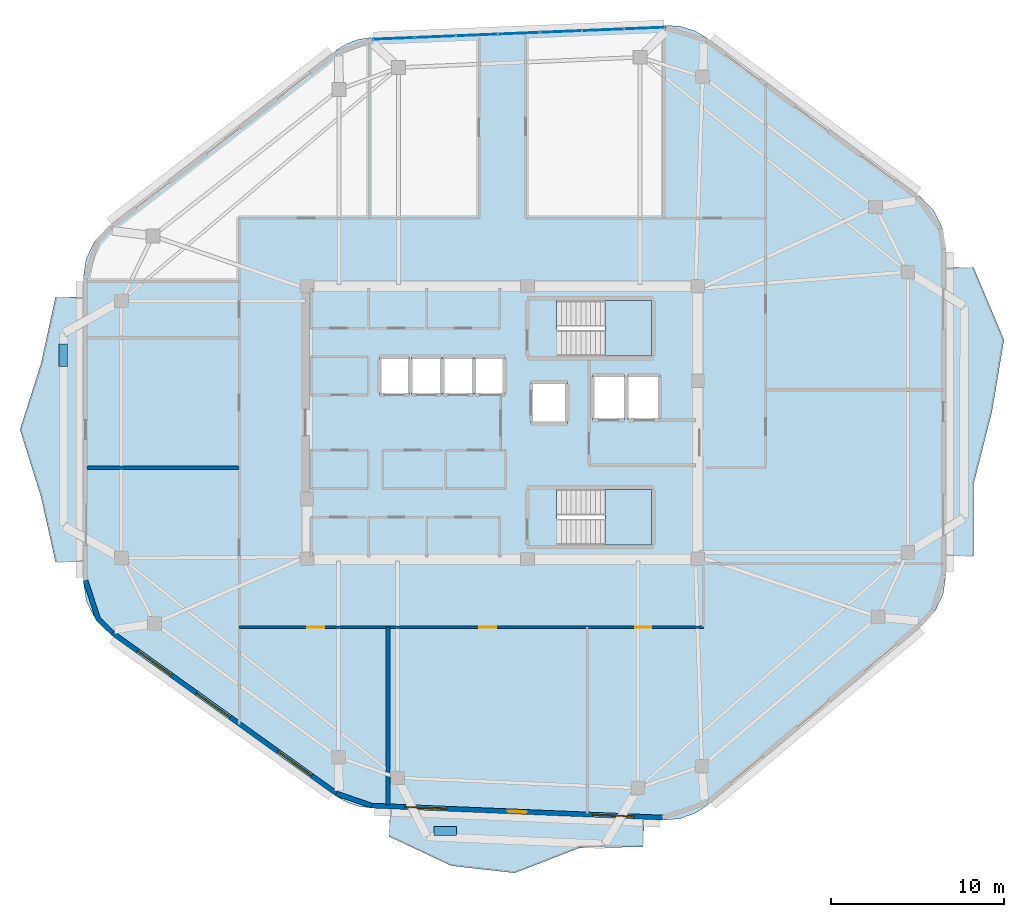
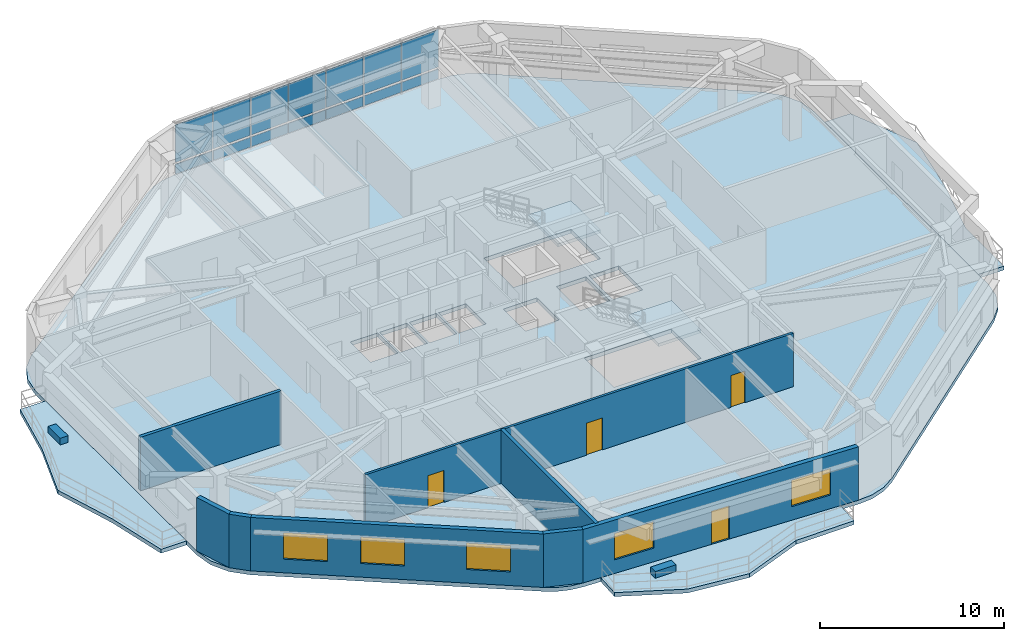
# One storey, part 5 of 12: 16 plates, 8 walls, 6 slabs, 5 windows, 4 doors, 9 openings, 3 elements without a shape of their own.
"""IFC4 building model written with IfcOpenShell, lengths in metres."""

from ifc_helpers import new_model, si_unit, direction, frame, frame_2d, origin, origin_2d, place, context, subcontext, project, spatial, polyline, rectangle, outline, extrude, material, layer, layer_set, type_object, element, fill, aggregate, save


model = new_model("IFC4")

# Units and contexts
model_context = context("Model", 3, precision=1e-05, world=origin(), true_north=direction((0.0, 1.0)))
body_context = subcontext(model_context, "Body", "Model", "MODEL_VIEW")
ifc_project = project(units=[si_unit("LENGTHUNIT", "METRE"), si_unit("AREAUNIT", "SQUARE_METRE"), si_unit("VOLUMEUNIT", "CUBIC_METRE"), si_unit("PLANEANGLEUNIT", "RADIAN"), si_unit("MASSUNIT", "GRAM", prefix="KILO")], contexts=[model_context])

# Site, building, storey
site_placement = place(None, origin())
site = spatial("IfcSite", under=ifc_project, at=site_placement, CompositionType="ELEMENT")
building_placement = place(site_placement, origin())
building = spatial("IfcBuilding", under=site, at=building_placement, Name="Zulverin Broadcast Headquarters", CompositionType="ELEMENT")
storey_placement = place(building_placement, frame((0.0, 0.0, 285.800048828125)))
storey = spatial("IfcBuildingStorey", under=building, at=storey_placement, Name="L73", CompositionType="ELEMENT", Elevation=285.800048828125)

# Curtain wall, plates
ifc_material_1 = material(Name="High-zone solar-control unitised curtain wall", Category="aluminium")
curtain_wall_type = type_object("IfcCurtainWallType", Name="CW-TWR-UPP", PredefinedType="USERDEFINED", material=ifc_material_1)
curtain_wall_placement = place(storey_placement, origin())
curtain_wall = element("IfcCurtainWall", 1, at=curtain_wall_placement, inside=storey, type_object=curtain_wall_type, Name="L73 Unitised Curtain Wall CW-L73-E5", ObjectType="UNITISED CURTAIN WALL", PredefinedType="USERDEFINED")
ifc_material_2 = material(Name="Low-E double-glazed pale-silver vision glass", Category="glass")
ifc_layer_1 = layer(ifc_material_2, 0.035888671875, Name="Low-E double-glazed pale-silver vision glass", Category="glass")
ifc_layer_set_1 = layer_set([ifc_layer_1], Name="Low-E double-glazed pale-silver vision glass")
plate_type_1 = type_object("IfcPlateType", Name="CW-PNL-GLZ", PredefinedType="CURTAIN_PANEL", material=ifc_layer_set_1)
plate_1_placement = place(storey_placement, frame((45.205078125, 47.975341796875, 0.91455078125), z_axis=(0.0, 0.0, 1.0), x_axis=(-0.999156343069, -0.041068261531, 0.0)))
plate_1 = element("IfcPlate", 2, at=plate_1_placement, type_object=plate_type_1, Name="CW-L73-E5 Vision Panel 00", PredefinedType="CURTAIN_PANEL", context=body_context, shape_type="SweptSolid", body=[
    extrude(rectangle(XDim=2.377685546875, YDim=0.035888671875, at=origin_2d()), origin(), (0.0, 0.0, 1.0), 2.4853515625),
])
plate_2_placement = place(storey_placement, frame((42.78955078125, 47.8759765625, 0.91455078125), z_axis=(0.0, 0.0, 1.0), x_axis=(-0.999156343069, -0.041068261531, 0.0)))
plate_2 = element("IfcPlate", 3, at=plate_2_placement, type_object=plate_type_1, Name="CW-L73-E5 Vision Panel 01", PredefinedType="CURTAIN_PANEL", context=body_context, shape_type="SweptSolid", body=[
    extrude(rectangle(XDim=2.377685546875, YDim=0.035888671875, at=origin_2d()), origin(), (0.0, 0.0, 1.0), 2.4853515625),
])
plate_3_placement = place(storey_placement, frame((40.3740234375, 47.776611328125, 0.91455078125), z_axis=(0.0, 0.0, 1.0), x_axis=(-0.999156343069, -0.041068261531, 0.0)))
plate_3 = element("IfcPlate", 4, at=plate_3_placement, type_object=plate_type_1, Name="CW-L73-E5 Vision Panel 02", PredefinedType="CURTAIN_PANEL", context=body_context, shape_type="SweptSolid", body=[
    extrude(rectangle(XDim=2.377685546875, YDim=0.035888671875, at=origin_2d()), origin(), (0.0, 0.0, 1.0), 2.4853515625),
])
plate_4_placement = place(storey_placement, frame((37.95849609375, 47.677490234375, 0.91455078125), z_axis=(0.0, 0.0, 1.0), x_axis=(-0.999156343069, -0.041068261531, 0.0)))
plate_4 = element("IfcPlate", 5, at=plate_4_placement, type_object=plate_type_1, Name="CW-L73-E5 Vision Panel 03", PredefinedType="CURTAIN_PANEL", context=body_context, shape_type="SweptSolid", body=[
    extrude(rectangle(XDim=2.377685546875, YDim=0.035888671875, at=origin_2d()), origin(), (0.0, 0.0, 1.0), 2.4853515625),
])
plate_5_placement = place(storey_placement, frame((35.54296875, 47.578125, 0.91455078125), z_axis=(0.0, 0.0, 1.0), x_axis=(-0.999156343069, -0.041068261531, 0.0)))
plate_5 = element("IfcPlate", 6, at=plate_5_placement, type_object=plate_type_1, Name="CW-L73-E5 Vision Panel 04", PredefinedType="CURTAIN_PANEL", context=body_context, shape_type="SweptSolid", body=[
    extrude(rectangle(XDim=2.377685546875, YDim=0.035888671875, at=origin_2d()), origin(), (0.0, 0.0, 1.0), 2.4853515625),
])
plate_6_placement = place(storey_placement, frame((33.12744140625, 47.478759765625, 0.91455078125), z_axis=(0.0, 0.0, 1.0), x_axis=(-0.999156343069, -0.041068261531, 0.0)))
plate_6 = element("IfcPlate", 7, at=plate_6_placement, type_object=plate_type_1, Name="CW-L73-E5 Vision Panel 05", PredefinedType="CURTAIN_PANEL", context=body_context, shape_type="SweptSolid", body=[
    extrude(rectangle(XDim=2.377685546875, YDim=0.035888671875, at=origin_2d()), origin(), (0.0, 0.0, 1.0), 2.4853515625),
])
plate_7_placement = place(storey_placement, frame((30.7119140625, 47.37939453125, 0.91455078125), z_axis=(0.0, 0.0, 1.0), x_axis=(-0.999156343069, -0.041068261531, 0.0)))
plate_7 = element("IfcPlate", 8, at=plate_7_placement, type_object=plate_type_1, Name="CW-L73-E5 Vision Panel 06", PredefinedType="CURTAIN_PANEL", context=body_context, shape_type="SweptSolid", body=[
    extrude(rectangle(XDim=2.377685546875, YDim=0.035888671875, at=origin_2d()), origin(), (0.0, 0.0, 1.0), 2.4853515625),
])
ifc_material_3 = material(Name="Insulated brushed pale-aluminium spandrel cassette", Category="aluminium")
ifc_layer_2 = layer(ifc_material_3, 0.050048828125, Name="Insulated brushed pale-aluminium spandrel cassette", Category="aluminium")
ifc_layer_set_2 = layer_set([ifc_layer_2], Name="Insulated brushed pale-aluminium spandrel cassette")
plate_type_2 = type_object("IfcPlateType", Name="CW-PNL-SPN", PredefinedType="CURTAIN_PANEL", material=ifc_layer_set_2)
plate_8_placement = place(storey_placement, frame((45.205078125, 47.975341796875, 0.139892578125), z_axis=(0.0, 0.0, 1.0), x_axis=(-0.999156343069, -0.041068261531, 0.0)))
plate_8 = element("IfcPlate", 9, at=plate_8_placement, type_object=plate_type_2, Name="CW-L73-E5 Spandrel Cassette 00", PredefinedType="CURTAIN_PANEL", context=body_context, shape_type="SweptSolid", body=[
    extrude(rectangle(XDim=2.377685546875, YDim=0.050048828125, at=origin_2d()), origin(), (0.0, 0.0, 1.0), 0.64453125),
])
plate_9_placement = place(storey_placement, frame((42.78955078125, 47.8759765625, 0.139892578125), z_axis=(0.0, 0.0, 1.0), x_axis=(-0.999156343069, -0.041068261531, 0.0)))
plate_9 = element("IfcPlate", 10, at=plate_9_placement, type_object=plate_type_2, Name="CW-L73-E5 Spandrel Cassette 01", PredefinedType="CURTAIN_PANEL", context=body_context, shape_type="SweptSolid", body=[
    extrude(rectangle(XDim=2.377685546875, YDim=0.050048828125, at=origin_2d()), origin(), (0.0, 0.0, 1.0), 0.64453125),
])
plate_10_placement = place(storey_placement, frame((40.3740234375, 47.776611328125, 0.139892578125), z_axis=(0.0, 0.0, 1.0), x_axis=(-0.999156343069, -0.041068261531, 0.0)))
plate_10 = element("IfcPlate", 11, at=plate_10_placement, type_object=plate_type_2, Name="CW-L73-E5 Spandrel Cassette 02", PredefinedType="CURTAIN_PANEL", context=body_context, shape_type="SweptSolid", body=[
    extrude(rectangle(XDim=2.377685546875, YDim=0.050048828125, at=origin_2d()), origin(), (0.0, 0.0, 1.0), 0.64453125),
])
plate_11_placement = place(storey_placement, frame((37.95849609375, 47.677490234375, 0.139892578125), z_axis=(0.0, 0.0, 1.0), x_axis=(-0.999156343069, -0.041068261531, 0.0)))
plate_11 = element("IfcPlate", 12, at=plate_11_placement, type_object=plate_type_2, Name="CW-L73-E5 Spandrel Cassette 03", PredefinedType="CURTAIN_PANEL", context=body_context, shape_type="SweptSolid", body=[
    extrude(rectangle(XDim=2.377685546875, YDim=0.050048828125, at=origin_2d()), origin(), (0.0, 0.0, 1.0), 0.64453125),
])
plate_12_placement = place(storey_placement, frame((35.54296875, 47.578125, 0.139892578125), z_axis=(0.0, 0.0, 1.0), x_axis=(-0.999156343069, -0.041068261531, 0.0)))
plate_12 = element("IfcPlate", 13, at=plate_12_placement, type_object=plate_type_2, Name="CW-L73-E5 Spandrel Cassette 04", PredefinedType="CURTAIN_PANEL", context=body_context, shape_type="SweptSolid", body=[
    extrude(rectangle(XDim=2.377685546875, YDim=0.050048828125, at=origin_2d()), origin(), (0.0, 0.0, 1.0), 0.64453125),
])
plate_13_placement = place(storey_placement, frame((33.12744140625, 47.478759765625, 0.139892578125), z_axis=(0.0, 0.0, 1.0), x_axis=(-0.999156343069, -0.041068261531, 0.0)))
plate_13 = element("IfcPlate", 14, at=plate_13_placement, type_object=plate_type_2, Name="CW-L73-E5 Spandrel Cassette 05", PredefinedType="CURTAIN_PANEL", context=body_context, shape_type="SweptSolid", body=[
    extrude(rectangle(XDim=2.377685546875, YDim=0.050048828125, at=origin_2d()), origin(), (0.0, 0.0, 1.0), 0.64453125),
])
plate_14_placement = place(storey_placement, frame((30.7119140625, 47.37939453125, 0.139892578125), z_axis=(0.0, 0.0, 1.0), x_axis=(-0.999156343069, -0.041068261531, 0.0)))
plate_14 = element("IfcPlate", 15, at=plate_14_placement, type_object=plate_type_2, Name="CW-L73-E5 Spandrel Cassette 06", PredefinedType="CURTAIN_PANEL", context=body_context, shape_type="SweptSolid", body=[
    extrude(rectangle(XDim=2.377685546875, YDim=0.050048828125, at=origin_2d()), origin(), (0.0, 0.0, 1.0), 0.64453125),
])
aggregate(curtain_wall, [plate_8, plate_1, plate_9, plate_2, plate_10, plate_3, plate_11, plate_4, plate_12, plate_5, plate_13, plate_6, plate_14, plate_7])

# Plates
ifc_material_4 = material(Name="Precast concrete C45/55", Category="concrete")
ifc_layer_3 = layer(ifc_material_4, 0.449951171875, Name="Precast concrete C45/55", Category="concrete")
ifc_layer_set_3 = layer_set([ifc_layer_3], Name="Precast concrete C45/55")
plate_type_3 = type_object("IfcPlateType", Name="PT-01_PRECAST_GFRC_TREE_PLANTER", PredefinedType="USERDEFINED", material=ifc_layer_set_3)
for number, where, z_axis, x_axis, name in (
    (16, (33.700439453125, 1.626708984375, -0.0048828125), (0.0, 0.0, 1.0), (1.0, 0.0, 0.0), "L73 Precast GFRC Tree Planter BAL_S"),
    (17, (11.64990234375, 29.082763671875, -0.0048828125), (0.0, 0.0, 1.0), (0.0, 1.0, 0.0), "L73 Precast GFRC Tree Planter BAL_W"),
):
    element("IfcPlate", number, at=place(storey_placement, frame(where, z_axis=z_axis, x_axis=x_axis)), inside=storey, type_object=plate_type_3, Name=name, ObjectType="PLANTER", PredefinedType="USERDEFINED", context=body_context, shape_type="SweptSolid", body=[
        extrude(rectangle(XDim=1.300048828125, YDim=0.5, at=origin_2d()), origin(), (0.0, 0.0, 1.0), 0.449951171875),
    ])

# Slabs
ifc_material_5 = material(Name="Concrete C40/50", Category="concrete")
ifc_layer_4 = layer(ifc_material_5, 0.260009765625, Name="Concrete C40/50", Category="concrete")
ifc_layer_set_4 = layer_set([ifc_layer_4], Name="Concrete C40/50")
slab_type_1 = type_object("IfcSlabType", Name="SLB-BAL-260", PredefinedType="FLOOR", material=ifc_layer_set_4)
slab_1_placement = place(storey_placement, frame((0.0, 0.0, -0.260009765625)))
element("IfcSlab", 18, at=slab_1_placement, inside=storey, type_object=slab_type_1, Name="L73 Cantilevered Planted Balcony Slab BAL_E", PredefinedType="FLOOR", context=body_context, shape_type="SweptSolid", body=[
    extrude(outline(polyline([(62.60009765625, 34.150146484375), (62.60009765625, 17.49560546875), (64.199951171875, 17.49560546875), (64.199951171875, 21.6591796875), (65.25390625, 25.82275390625), (65.9541015625, 29.986328125), (64.199951171875, 34.150146484375), (62.60009765625, 34.150146484375)])), origin(), (0.0, 0.0, 1.0), 0.260009765625),
])
slab_2_placement = place(storey_placement, frame((0.0, 0.0, -0.260009765625)))
element("IfcSlab", 19, at=slab_2_placement, inside=storey, type_object=slab_type_1, Name="L73 Cantilevered Planted Balcony Slab BAL_S", PredefinedType="FLOOR", context=body_context, shape_type="SweptSolid", body=[
    extrude(outline(polyline([(45.185302734375, 2.305419921875), (30.521728515625, 2.908203125), (30.4560546875, 1.3095703125), (34.05859375, -0.380615234375), (37.7138671875, -0.79296875), (41.445556640625, 0.658203125), (45.11962890625, 0.706787109375), (45.185302734375, 2.305419921875)])), origin(), (0.0, 0.0, 1.0), 0.260009765625),
])
slab_3_placement = place(storey_placement, frame((0.0, 0.0, -0.260009765625)))
element("IfcSlab", 20, at=slab_3_placement, inside=storey, type_object=slab_type_1, Name="L73 Cantilevered Planted Balcony Slab BAL_W", PredefinedType="FLOOR", context=body_context, shape_type="SweptSolid", body=[
    extrude(outline(polyline([(12.800048828125, 17.151611328125), (12.800048828125, 32.447998046875), (11.199951171875, 32.447998046875), (10.368408203125, 28.623779296875), (9.14990234375, 24.7998046875), (10.349853515625, 20.975830078125), (11.199951171875, 17.151611328125), (12.800048828125, 17.151611328125)])), origin(), (0.0, 0.0, 1.0), 0.260009765625),
])

# Stair, slab
stair_type = type_object("IfcStairType", Name="ST-CORE-1500", PredefinedType="HALF_TURN_STAIR", material=ifc_material_5)
stair_1_placement = place(storey_placement, origin())
stair_1 = element("IfcStair", 21, at=stair_1_placement, inside=storey, type_object=stair_type, Name="L73 Core Exit Stair ST-1", PredefinedType="HALF_TURN_STAIR")
ifc_layer_5 = layer(ifc_material_5, 0.199951171875, Name="Concrete C40/50", Category="concrete")
ifc_layer_set_5 = layer_set([ifc_layer_5], Name="Concrete C40/50")
slab_type_2 = type_object("IfcSlabType", Name="SLB-ST-LND200", PredefinedType="LANDING", material=ifc_layer_set_5)
slab_4_placement = place(storey_placement, frame((0.0, 0.0, 1.699951171875)))
slab_4 = element("IfcSlab", 22, at=slab_4_placement, type_object=slab_type_2, Name="ST-1 landing 1", PredefinedType="LANDING", context=body_context, shape_type="SweptSolid", body=[
    extrude(outline(polyline([(42.929931640625, 29.050048828125), (45.60009765625, 29.050048828125), (45.60009765625, 32.25), (42.929931640625, 32.25), (42.929931640625, 29.050048828125)])), origin(), (0.0, 0.0, 1.0), 0.199951171875),
])
aggregate(stair_1, [slab_4])

stair_2_placement = place(storey_placement, origin())
stair_2 = element("IfcStair", 23, at=stair_2_placement, inside=storey, type_object=stair_type, Name="L73 Core Exit Stair ST-2", PredefinedType="HALF_TURN_STAIR")
slab_5_placement = place(storey_placement, frame((0.0, 0.0, 1.699951171875)))
slab_5 = element("IfcSlab", 24, at=slab_5_placement, type_object=slab_type_2, Name="ST-2 landing 1", PredefinedType="LANDING", context=body_context, shape_type="SweptSolid", body=[
    extrude(outline(polyline([(42.929931640625, 18.14990234375), (45.60009765625, 18.14990234375), (45.60009765625, 21.35009765625), (42.929931640625, 21.35009765625), (42.929931640625, 18.14990234375)])), origin(), (0.0, 0.0, 1.0), 0.199951171875),
])
aggregate(stair_2, [slab_5])

# Slab
ifc_layer_6 = layer(ifc_material_5, 0.260009765625, Name="Concrete C40/50", Category="concrete")
ifc_layer_set_6 = layer_set([ifc_layer_6], Name="Concrete C40/50")
slab_type_3 = type_object("IfcSlabType", Name="SLB-TWR-260", PredefinedType="FLOOR", material=ifc_layer_set_6)
slab_6_placement = place(storey_placement, frame((0.0, 0.0, -0.260009765625)))
element("IfcSlab", 25, at=slab_6_placement, inside=storey, type_object=slab_type_3, Name="L73 Main Structural Floor Slab", PredefinedType="FLOOR", context=body_context, shape_type="SweptSolid", body=[
    extrude(outline(polyline([(27.364990234375, 3.66162109375), (28.00048828125, 3.293212890625), (28.695068359375, 3.05419921875), (29.422607421875, 2.953369140625), (46.284423828125, 2.26025390625), (47.21337890625, 2.33642578125), (48.095703125, 2.63671875), (48.878662109375, 3.142333984375), (61.238037109375, 13.480712890625), (61.97265625, 14.30419921875), (62.439697265625, 15.3037109375), (62.60009765625, 16.3955078125), (62.60009765625, 35.25), (62.418212890625, 36.4111328125), (61.890625, 37.4609375), (61.0673828125, 38.299560546875), (48.831298828125, 47.3974609375), (48.087646484375, 47.8291015625), (47.265869140625, 48.08251953125), (46.407958984375, 48.144775390625), (29.499267578125, 47.44970703125), (28.726318359375, 47.337646484375), (27.992919921875, 47.070068359375), (27.329345703125, 46.657958984375), (14.274169921875, 36.552978515625), (13.481201171875, 35.71875), (12.974365234375, 34.685546875), (12.800048828125, 33.548095703125), (12.800048828125, 16.0517578125), (12.988525390625, 14.86962890625), (13.535400390625, 13.804931640625), (14.386474609375, 12.963134765625), (27.364990234375, 3.66162109375)]), holes=[polyline([(40.155029296875, 30.75), (40.130126953125, 30.75), (40.130126953125, 32.25), (45.60009765625, 32.25), (45.60009765625, 29.050048828125), (40.155029296875, 29.050048828125), (40.155029296875, 30.75)]), polyline([(40.155029296875, 19.85009765625), (40.130126953125, 19.85009765625), (40.130126953125, 21.35009765625), (45.60009765625, 21.35009765625), (45.60009765625, 18.14990234375), (40.155029296875, 18.14990234375), (40.155029296875, 19.85009765625)]), polyline([(29.89990234375, 26.800048828125), (31.6201171875, 26.800048828125), (31.6201171875, 29.0), (29.89990234375, 29.0), (29.89990234375, 26.800048828125)]), polyline([(31.739990234375, 26.800048828125), (33.4599609375, 26.800048828125), (33.4599609375, 29.0), (31.739990234375, 29.0), (31.739990234375, 26.800048828125)]), polyline([(33.580078125, 26.800048828125), (35.300048828125, 26.800048828125), (35.300048828125, 29.0), (33.580078125, 29.0), (33.580078125, 26.800048828125)]), polyline([(35.419921875, 26.800048828125), (37.139892578125, 26.800048828125), (37.139892578125, 29.0), (35.419921875, 29.0), (35.419921875, 26.800048828125)]), polyline([(42.199951171875, 25.35009765625), (44.050048828125, 25.35009765625), (44.050048828125, 27.949951171875), (42.199951171875, 27.949951171875), (42.199951171875, 25.35009765625)]), polyline([(44.25, 25.35009765625), (46.10009765625, 25.35009765625), (46.10009765625, 27.949951171875), (44.25, 27.949951171875), (44.25, 25.35009765625)]), polyline([(38.64990234375, 25.14990234375), (40.75, 25.14990234375), (40.75, 27.550048828125), (38.64990234375, 27.550048828125), (38.64990234375, 25.14990234375)])]), origin(), (0.0, 0.0, 1.0), 0.260009765625),
])

# Walls
ifc_material_6 = material(Name="Acoustic drywall steel stud", Category="steel")
ifc_layer_7 = layer(ifc_material_6, 0.199951171875, Name="Acoustic drywall steel stud", Category="steel")
ifc_layer_set_7 = layer_set([ifc_layer_7], Name="Acoustic drywall steel stud")
wall_type_1 = type_object("IfcWallType", Name="WL-ACOU-200", PredefinedType="PARTITIONING", material=ifc_layer_set_7)
wall_1_placement = place(storey_placement, frame((13.0048828125, 22.60009765625, 0.0), z_axis=(0.0, 0.0, 1.0), x_axis=(1.0, 0.0, 0.0)))
element("IfcWall", 26, at=wall_1_placement, inside=storey, type_object=wall_type_1, Name="L73 Room Partition Wall RP-12", PredefinedType="PARTITIONING", context=body_context, shape_type="SweptSolid", body=[
    extrude(rectangle(XDim=8.795166015625, YDim=0.199951171875, at=frame_2d((4.3974609375, 0.0))), origin(), (0.0, 0.0, 1.0), 3.5400390625),
])
ifc_material_7 = material(Name="Double-stud acoustic drywall", Category="gypsum")
ifc_layer_8 = layer(ifc_material_7, 0.219970703125, Name="Double-stud acoustic drywall", Category="gypsum")
ifc_layer_set_8 = layer_set([ifc_layer_8], Name="Double-stud acoustic drywall")
wall_type_2 = type_object("IfcWallType", Name="WL-ACOU-220", PredefinedType="PARTITIONING", material=ifc_layer_set_8)
wall_2_placement = place(storey_placement, frame((30.39990234375, 3.1181640625, 0.0), z_axis=(0.0, 0.0, 1.0), x_axis=(0.0, 1.0, 0.0)))
element("IfcWall", 27, at=wall_2_placement, inside=storey, type_object=wall_type_2, Name="L73 Room Partition Wall RP-07", PredefinedType="PARTITIONING", context=body_context, shape_type="SweptSolid", body=[
    extrude(rectangle(XDim=10.28173828125, YDim=0.219970703125, at=frame_2d((5.140869140625, 0.0))), origin(), (0.0, 0.0, 1.0), 3.5400390625),
])

# Wall, openings, door, windows
ifc_material_8 = material(Name="Insulated pale-metal clad concrete spandrel C40/50", Category="concrete")
ifc_layer_9 = layer(ifc_material_8, 0.280029296875, Name="Insulated pale-metal clad concrete spandrel C40/50", Category="concrete")
ifc_layer_set_9 = layer_set([ifc_layer_9], Name="Insulated pale-metal clad concrete spandrel C40/50")
wall_type_3 = type_object("IfcWallType", Name="WL-EXT-280", PredefinedType="STANDARD", material=ifc_layer_set_9)
wall_3_placement = place(storey_placement, frame((29.42822265625, 3.09326171875, 0.0), z_axis=(0.0, 0.0, 1.0), x_axis=(0.999156257967, -0.041070331944, 0.0)))
wall_3 = element("IfcWall", 28, at=wall_3_placement, inside=storey, type_object=wall_type_3, Name="L73 Pale-Metal Clad Spandrel Wall 1", PredefinedType="STANDARD", context=body_context, shape_type="SweptSolid", body=[
    extrude(rectangle(XDim=16.876220703125, YDim=0.280029296875, at=frame_2d((8.43798828125, 0.0))), origin(), (0.0, 0.0, 1.0), 3.5400390625),
])
opening_1_placement = place(wall_3_placement, frame((7.88818359375, 0.0, 0.0)))
opening_1 = element("IfcOpeningElement", 29, at=opening_1_placement, cuts=wall_3, Name="Opening D-L73-TR1", PredefinedType="OPENING", context=body_context, shape_type="SweptSolid", body=[
    extrude(rectangle(XDim=1.10009765625, YDim=2.199951171875, at=frame_2d((0.550048828125, 1.10009765625))), frame((0.0, 0.14990234375, 0.0), z_axis=(0.0, -1.0, 0.0), x_axis=(1.0, 0.0, 0.0)), (0.0, 0.0, 1.0), 0.300048828125),
])
opening_2_placement = place(wall_3_placement, frame((1.946044921875, 0.0, 0.89990234375)))
opening_2 = element("IfcOpeningElement", 30, at=opening_2_placement, cuts=wall_3, Name="Opening W-L73-E11", PredefinedType="OPENING", context=body_context, shape_type="SweptSolid", body=[
    extrude(rectangle(XDim=2.39990234375, YDim=1.75, at=frame_2d((1.199951171875, 0.875))), frame((0.0, 0.14990234375, 0.0), z_axis=(0.0, -1.0, 0.0), x_axis=(1.0, 0.0, 0.0)), (0.0, 0.0, 1.0), 0.300048828125),
])
opening_3_placement = place(wall_3_placement, frame((12.780029296875, 0.0, 0.89990234375)))
opening_3 = element("IfcOpeningElement", 31, at=opening_3_placement, cuts=wall_3, Name="Opening W-L73-E12", PredefinedType="OPENING", context=body_context, shape_type="SweptSolid", body=[
    extrude(rectangle(XDim=2.39990234375, YDim=1.75, at=frame_2d((1.199951171875, 0.875))), frame((0.0, 0.14990234375, 0.0), z_axis=(0.0, -1.0, 0.0), x_axis=(1.0, 0.0, 0.0)), (0.0, 0.0, 1.0), 0.300048828125),
])
ifc_material_9 = material(Name="Thermally broken aluminium glazed", Category="aluminium")
door_type_1 = type_object("IfcDoorType", Name="DR-TERR-1100", OperationType="SINGLE_SWING_RIGHT", PredefinedType="DOOR", material=ifc_material_9)
door_1_placement = place(opening_1_placement, origin())
door_1 = element("IfcDoor", 32, at=door_1_placement, inside=storey, type_object=door_type_1, Name="L73 Planted Terrace Glazed Access Door 1", OperationType="SINGLE_SWING_RIGHT", OverallHeight=2.199951171875, OverallWidth=1.10009765625, PredefinedType="DOOR", context=body_context, shape_type="SweptSolid", body=[
    extrude(rectangle(XDim=1.10009765625, YDim=2.199951171875, at=frame_2d((0.550048828125, 1.10009765625))), frame((0.0, 0.02490234375, 0.0), z_axis=(0.0, -1.0, 0.0), x_axis=(1.0, 0.0, 0.0)), (0.0, 0.0, 1.0), 0.050048828125),
])
fill(opening_1, door_1)
ifc_material_10 = material(Name="Pale anodized aluminium frame with solar-control low-E double glazing", Category="aluminium")
window_type = type_object("IfcWindowType", Name="WIN-RIB-2400", PartitioningType="SINGLE_PANEL", PredefinedType="WINDOW", material=ifc_material_10)
window_1_placement = place(opening_2_placement, origin())
window_1 = element("IfcWindow", 33, at=window_1_placement, inside=storey, type_object=window_type, Name="L73 Ribbon Glazing Window 1 1", OverallHeight=1.75, OverallWidth=2.39990234375, PartitioningType="SINGLE_PANEL", PredefinedType="WINDOW", context=body_context, shape_type="SweptSolid", body=[
    extrude(rectangle(XDim=2.39990234375, YDim=1.75, at=frame_2d((1.199951171875, 0.875))), frame((0.0, 0.030029296875, 0.0), z_axis=(0.0, -1.0, 0.0), x_axis=(1.0, 0.0, 0.0)), (0.0, 0.0, 1.0), 0.06005859375),
])
fill(opening_2, window_1)
window_2_placement = place(opening_3_placement, origin())
window_2 = element("IfcWindow", 34, at=window_2_placement, inside=storey, type_object=window_type, Name="L73 Ribbon Glazing Window 1 2", OverallHeight=1.75, OverallWidth=2.39990234375, PartitioningType="SINGLE_PANEL", PredefinedType="WINDOW", context=body_context, shape_type="SweptSolid", body=[
    extrude(rectangle(XDim=2.39990234375, YDim=1.75, at=frame_2d((1.199951171875, 0.875))), frame((0.0, 0.030029296875, 0.0), z_axis=(0.0, -1.0, 0.0), x_axis=(1.0, 0.0, 0.0)), (0.0, 0.0, 1.0), 0.06005859375),
])
fill(opening_3, window_2)

# Wall, openings, windows
wall_4_placement = place(storey_placement, frame((14.468017578125, 13.076904296875, 0.0), z_axis=(0.0, 0.0, 1.0), x_axis=(0.812809888039, -0.582529042972, 0.0)))
wall_4 = element("IfcWall", 35, at=wall_4_placement, inside=storey, type_object=wall_type_3, Name="L73 Pale-Metal Clad Spandrel Wall 8", PredefinedType="STANDARD", context=body_context, shape_type="SweptSolid", body=[
    extrude(rectangle(XDim=15.967529296875, YDim=0.280029296875, at=frame_2d((7.98388671875, 0.0))), origin(), (0.0, 0.0, 1.0), 3.5400390625),
])
opening_4_placement = place(wall_4_placement, frame((1.794677734375, 0.0, 0.89990234375)))
opening_4 = element("IfcOpeningElement", 36, at=opening_4_placement, cuts=wall_4, Name="Opening W-L73-E81", PredefinedType="OPENING", context=body_context, shape_type="SweptSolid", body=[
    extrude(rectangle(XDim=2.39990234375, YDim=1.75, at=frame_2d((1.199951171875, 0.875))), frame((0.0, 0.14990234375, 0.0), z_axis=(0.0, -1.0, 0.0), x_axis=(1.0, 0.0, 0.0)), (0.0, 0.0, 1.0), 0.300048828125),
])
opening_5_placement = place(wall_4_placement, frame((6.00390625, 0.0, 0.89990234375)))
opening_5 = element("IfcOpeningElement", 37, at=opening_5_placement, cuts=wall_4, Name="Opening W-L73-E82", PredefinedType="OPENING", context=body_context, shape_type="SweptSolid", body=[
    extrude(rectangle(XDim=2.39990234375, YDim=1.75, at=frame_2d((1.199951171875, 0.875))), frame((0.0, 0.14990234375, 0.0), z_axis=(0.0, -1.0, 0.0), x_axis=(1.0, 0.0, 0.0)), (0.0, 0.0, 1.0), 0.300048828125),
])
opening_6_placement = place(wall_4_placement, frame((11.77294921875, 0.0, 0.89990234375)))
opening_6 = element("IfcOpeningElement", 38, at=opening_6_placement, cuts=wall_4, Name="Opening W-L73-E83", PredefinedType="OPENING", context=body_context, shape_type="SweptSolid", body=[
    extrude(rectangle(XDim=2.39990234375, YDim=1.75, at=frame_2d((1.199951171875, 0.875))), frame((0.0, 0.14990234375, 0.0), z_axis=(0.0, -1.0, 0.0), x_axis=(1.0, 0.0, 0.0)), (0.0, 0.0, 1.0), 0.300048828125),
])
window_3_placement = place(opening_4_placement, origin())
window_3 = element("IfcWindow", 39, at=window_3_placement, inside=storey, type_object=window_type, Name="L73 Ribbon Glazing Window 8 1", OverallHeight=1.75, OverallWidth=2.39990234375, PartitioningType="SINGLE_PANEL", PredefinedType="WINDOW", context=body_context, shape_type="SweptSolid", body=[
    extrude(rectangle(XDim=2.39990234375, YDim=1.75, at=frame_2d((1.199951171875, 0.875))), frame((0.0, 0.030029296875, 0.0), z_axis=(0.0, -1.0, 0.0), x_axis=(1.0, 0.0, 0.0)), (0.0, 0.0, 1.0), 0.06005859375),
])
fill(opening_4, window_3)
window_4_placement = place(opening_5_placement, origin())
window_4 = element("IfcWindow", 40, at=window_4_placement, inside=storey, type_object=window_type, Name="L73 Ribbon Glazing Window 8 2", OverallHeight=1.75, OverallWidth=2.39990234375, PartitioningType="SINGLE_PANEL", PredefinedType="WINDOW", context=body_context, shape_type="SweptSolid", body=[
    extrude(rectangle(XDim=2.39990234375, YDim=1.75, at=frame_2d((1.199951171875, 0.875))), frame((0.0, 0.030029296875, 0.0), z_axis=(0.0, -1.0, 0.0), x_axis=(1.0, 0.0, 0.0)), (0.0, 0.0, 1.0), 0.06005859375),
])
fill(opening_5, window_4)
window_5_placement = place(opening_6_placement, origin())
window_5 = element("IfcWindow", 41, at=window_5_placement, inside=storey, type_object=window_type, Name="L73 Ribbon Glazing Window 8 3", OverallHeight=1.75, OverallWidth=2.39990234375, PartitioningType="SINGLE_PANEL", PredefinedType="WINDOW", context=body_context, shape_type="SweptSolid", body=[
    extrude(rectangle(XDim=2.39990234375, YDim=1.75, at=frame_2d((1.199951171875, 0.875))), frame((0.0, 0.030029296875, 0.0), z_axis=(0.0, -1.0, 0.0), x_axis=(1.0, 0.0, 0.0)), (0.0, 0.0, 1.0), 0.06005859375),
])
fill(opening_6, window_5)

# Walls
wall_5_placement = place(storey_placement, frame((12.93310546875, 16.09521484375, 0.0), z_axis=(0.0, 0.0, 1.0), x_axis=(0.3110492363, -0.950393798695, 0.0)))
element("IfcWall", 42, at=wall_5_placement, inside=storey, type_object=wall_type_3, Name="L73 Wind-Shaped Corner Spandrel Wall 7-1", PredefinedType="STANDARD", context=body_context, shape_type="SweptSolid", body=[
    extrude(rectangle(XDim=2.364013671875, YDim=0.280029296875, at=frame_2d((1.18212890625, 0.0))), origin(), (0.0, 0.0, 1.0), 3.5400390625),
])
wall_6_placement = place(storey_placement, frame((13.6337890625, 13.904296875, 0.0), z_axis=(0.0, 0.0, 1.0), x_axis=(0.710971221429, -0.703221104845, 0.0)))
element("IfcWall", 43, at=wall_6_placement, inside=storey, type_object=wall_type_3, Name="L73 Wind-Shaped Corner Spandrel Wall 7-2", PredefinedType="STANDARD", context=body_context, shape_type="SweptSolid", body=[
    extrude(rectangle(XDim=1.197021484375, YDim=0.280029296875, at=frame_2d((0.5986328125, 0.0))), origin(), (0.0, 0.0, 1.0), 3.5400390625),
])
wall_7_placement = place(storey_placement, frame((27.41064453125, 3.7939453125, 0.0), z_axis=(0.0, 0.0, 1.0), x_axis=(0.945552869008, -0.325468542121, 0.0)))
element("IfcWall", 44, at=wall_7_placement, inside=storey, type_object=wall_type_3, Name="L73 Wind-Shaped Corner Spandrel Wall 8-1", PredefinedType="STANDARD", context=body_context, shape_type="SweptSolid", body=[
    extrude(rectangle(XDim=2.176025390625, YDim=0.280029296875, at=frame_2d((1.087890625, 0.0))), origin(), (0.0, 0.0, 1.0), 3.5400390625),
])

# Wall, openings, doors
ifc_material_11 = material(Name="Fire-rated gypsum stud partition", Category="gypsum")
ifc_layer_10 = layer(ifc_material_11, 0.14990234375, Name="Fire-rated gypsum stud partition", Category="gypsum")
ifc_layer_set_10 = layer_set([ifc_layer_10], Name="Fire-rated gypsum stud partition")
wall_type_4 = type_object("IfcWallType", Name="WL-PART-150", PredefinedType="PARTITIONING", material=ifc_layer_set_10)
wall_8_placement = place(storey_placement, frame((21.800048828125, 13.39990234375, 0.0), z_axis=(0.0, 0.0, 1.0), x_axis=(1.0, 0.0, 0.0)))
wall_8 = element("IfcWall", 45, at=wall_8_placement, inside=storey, type_object=wall_type_4, Name="L73 Gallery Partition Wall CG-10", PredefinedType="PARTITIONING", context=body_context, shape_type="SweptSolid", body=[
    extrude(rectangle(XDim=26.800048828125, YDim=0.14990234375, at=frame_2d((13.39990234375, 0.0))), origin(), (0.0, 0.0, 1.0), 3.5400390625),
])
opening_7_placement = place(wall_8_placement, frame((3.919921875, 0.0, 0.0)))
opening_7 = element("IfcOpeningElement", 46, at=opening_7_placement, cuts=wall_8, Name="Opening D-L73-05", PredefinedType="OPENING", context=body_context, shape_type="SweptSolid", body=[
    extrude(rectangle(XDim=1.0, YDim=2.1201171875, at=frame_2d((0.5, 1.06005859375))), frame((0.0, 0.0849609375, 0.0), z_axis=(0.0, -1.0, 0.0), x_axis=(1.0, 0.0, 0.0)), (0.0, 0.0, 1.0), 0.169921875),
])
opening_8_placement = place(wall_8_placement, frame((13.85009765625, 0.0, 0.0)))
opening_8 = element("IfcOpeningElement", 47, at=opening_8_placement, cuts=wall_8, Name="Opening D-L73-06", PredefinedType="OPENING", context=body_context, shape_type="SweptSolid", body=[
    extrude(rectangle(XDim=1.0, YDim=2.1201171875, at=frame_2d((0.5, 1.06005859375))), frame((0.0, 0.0849609375, 0.0), z_axis=(0.0, -1.0, 0.0), x_axis=(1.0, 0.0, 0.0)), (0.0, 0.0, 1.0), 0.169921875),
])
opening_9_placement = place(wall_8_placement, frame((22.8798828125, 0.0, 0.0)))
opening_9 = element("IfcOpeningElement", 48, at=opening_9_placement, cuts=wall_8, Name="Opening D-L73-07", PredefinedType="OPENING", context=body_context, shape_type="SweptSolid", body=[
    extrude(rectangle(XDim=0.89990234375, YDim=2.10009765625, at=frame_2d((0.449951171875, 1.050048828125))), frame((0.0, 0.0849609375, 0.0), z_axis=(0.0, -1.0, 0.0), x_axis=(1.0, 0.0, 0.0)), (0.0, 0.0, 1.0), 0.169921875),
])
ifc_material_12 = material(Name="Hardwood veneer acoustic leaf", Category="wood")
door_type_2 = type_object("IfcDoorType", Name="DR-OFF-1000", OperationType="SINGLE_SWING_LEFT", PredefinedType="DOOR", material=ifc_material_12)
door_2_placement = place(opening_7_placement, origin())
door_2 = element("IfcDoor", 49, at=door_2_placement, inside=storey, type_object=door_type_2, Name="L73 Controller Office Door", OperationType="SINGLE_SWING_RIGHT", OverallHeight=2.1201171875, OverallWidth=1.0, PredefinedType="DOOR", context=body_context, shape_type="SweptSolid", body=[
    extrude(rectangle(XDim=1.0, YDim=2.1201171875, at=frame_2d((0.5, 1.06005859375))), frame((0.0, 0.02490234375, 0.0), z_axis=(0.0, -1.0, 0.0), x_axis=(1.0, 0.0, 0.0)), (0.0, 0.0, 1.0), 0.050048828125),
])
fill(opening_7, door_2)
door_3_placement = place(opening_8_placement, origin())
door_3 = element("IfcDoor", 50, at=door_3_placement, inside=storey, type_object=door_type_2, Name="L73 Secretariat Office Door", OperationType="SINGLE_SWING_LEFT", OverallHeight=2.1201171875, OverallWidth=1.0, PredefinedType="DOOR", context=body_context, shape_type="SweptSolid", body=[
    extrude(rectangle(XDim=1.0, YDim=2.1201171875, at=frame_2d((0.5, 1.06005859375))), frame((0.0, 0.02490234375, 0.0), z_axis=(0.0, -1.0, 0.0), x_axis=(1.0, 0.0, 0.0)), (0.0, 0.0, 1.0), 0.050048828125),
])
fill(opening_8, door_3)
ifc_material_13 = material(Name="Fire-rated hardwood veneer timber leaf", Category="wood")
door_type_3 = type_object("IfcDoorType", Name="DR-ROOM-900", OperationType="SINGLE_SWING_RIGHT", PredefinedType="DOOR", material=ifc_material_13)
door_4_placement = place(opening_9_placement, origin())
door_4 = element("IfcDoor", 51, at=door_4_placement, inside=storey, type_object=door_type_3, Name="L73 Advisory Meeting Room Door", OperationType="SINGLE_SWING_RIGHT", OverallHeight=2.10009765625, OverallWidth=0.89990234375, PredefinedType="DOOR", context=body_context, shape_type="SweptSolid", body=[
    extrude(rectangle(XDim=0.89990234375, YDim=2.10009765625, at=frame_2d((0.449951171875, 1.050048828125))), frame((0.0, 0.02490234375, 0.0), z_axis=(0.0, -1.0, 0.0), x_axis=(1.0, 0.0, 0.0)), (0.0, 0.0, 1.0), 0.050048828125),
])
fill(opening_9, door_4)

save(model, "model.ifc")
